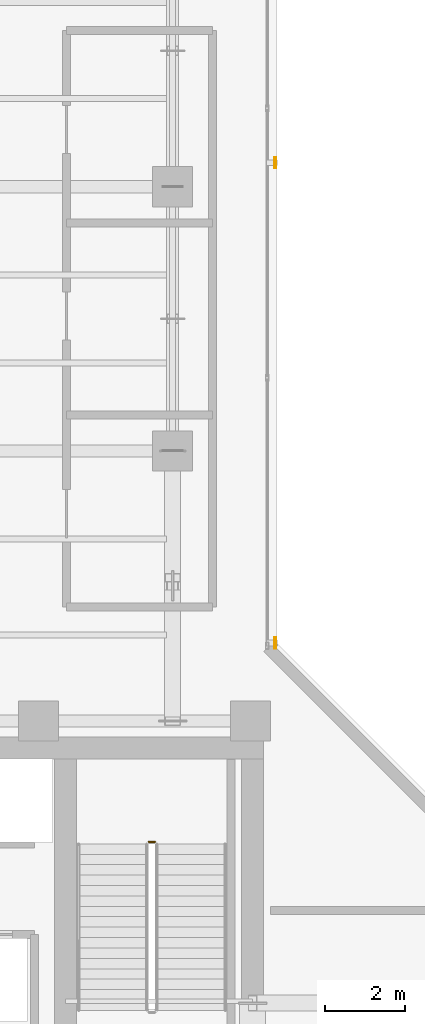
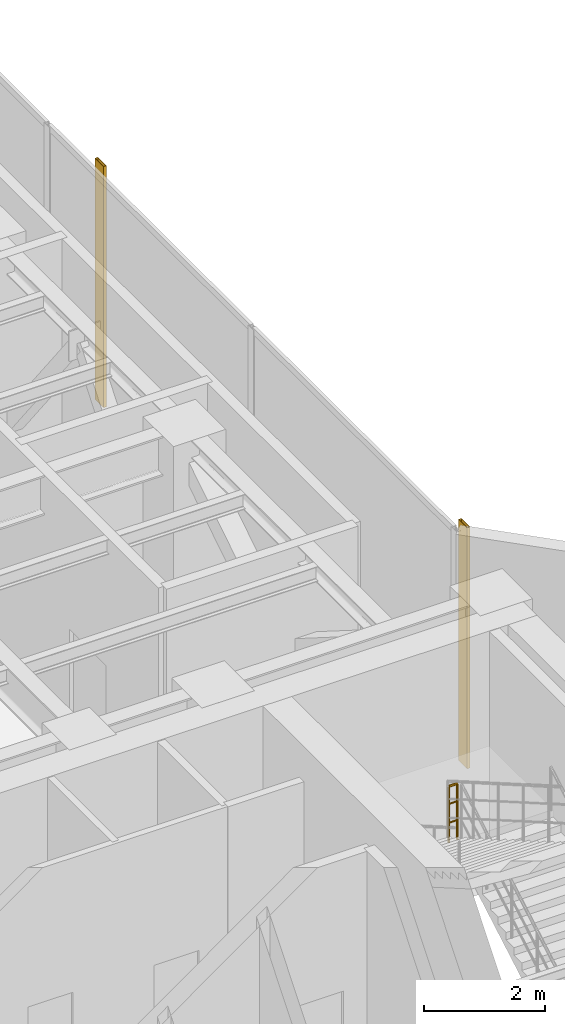
# One storey, part 31 of 31: 2 shading devices, 1 railing.
"""IFC4 building model written with IfcOpenShell, lengths in metres."""

import ifcopenshell
import ifcopenshell.guid

model = None  # the IFC model being written
_history = None  # IfcOwnerHistory: only IFC2X3 demands one
_inside = {}  # id of a spatial element -> (the spatial element, [elements in it])
_under = {}  # id of a project, library or spatial element -> (it, [spatial elements below it])
_declared = {}  # id of a project -> (the project, [libraries it declares])
_typed = {}  # id of a type object -> (the type object, [elements of that type])
_made_of = {}  # id of a material, layer set ... -> (it, [elements and type objects made of it])


def new_model(schema):
    """Start an empty IFC model of exactly this schema.

    Asked for "IFC4X3", IfcOpenShell would pick the latest addendum, in which some entities
    have other attributes; the version numbers below select the first issue.
    IFC2X3 requires an IfcOwnerHistory on every rooted entity: one is made here for all.
    """
    global model, _history
    if schema == "IFC4X3":
        model = ifcopenshell.file(schema_version=(4, 3, 0, 0))
    else:
        model = ifcopenshell.file(schema=schema)
    _inside.clear()
    _under.clear()
    _declared.clear()
    _typed.clear()
    _made_of.clear()
    _history = None
    if model.schema == "IFC2X3":
        org = make("IfcOrganization", Name="unknown")
        user = make(
            "IfcPersonAndOrganization",
            ThePerson=make("IfcPerson", FamilyName="unknown"),
            TheOrganization=org,
        )
        app = make(
            "IfcApplication",
            ApplicationDeveloper=org,
            Version="unknown",
            ApplicationFullName="unknown",
            ApplicationIdentifier="unknown",
        )
        _history = make(
            "IfcOwnerHistory",
            OwningUser=user,
            OwningApplication=app,
            ChangeAction="ADDED",
            CreationDate=0,
        )
    return model


def make(cls, **values):
    """One entity of the class cls with the attributes given. An attribute that is None is left unset."""
    return model.create_entity(
        cls, **{name: value for name, value in values.items() if value is not None}
    )


def rooted(cls, **values):
    """An entity with a GlobalId (a new one), such as an element, a storey or a relation."""
    return make(cls, GlobalId=ifcopenshell.guid.new(), OwnerHistory=_history, **values)


def si_unit(unit_type, name, prefix=None):
    """IfcSIUnit, for example si_unit("LENGTHUNIT", "METRE", prefix="MILLI")."""
    return make("IfcSIUnit", UnitType=unit_type, Prefix=prefix, Name=name)


def assignment(units):
    """IfcUnitAssignment: the units of a project."""
    return None if units is None else make("IfcUnitAssignment", Units=units)


def point(xyz):
    """IfcCartesianPoint."""
    return None if xyz is None else make("IfcCartesianPoint", Coordinates=xyz)


def direction(xyz):
    """IfcDirection."""
    return None if xyz is None else make("IfcDirection", DirectionRatios=xyz)


def frame(location, z_axis=None, x_axis=None):
    """IfcAxis2Placement3D, a coordinate frame: its origin and axes. An axis left out is left unset."""
    return make(
        "IfcAxis2Placement3D",
        Location=point(location),
        Axis=direction(z_axis),
        RefDirection=direction(x_axis),
    )


def frame_2d(location, x_axis=None):
    """IfcAxis2Placement2D, a coordinate frame in the plane: its origin and x axis."""
    return make(
        "IfcAxis2Placement2D", Location=point(location), RefDirection=direction(x_axis)
    )


def origin():
    """The frame at (0, 0, 0) with its axes left unset."""
    return frame((0.0, 0.0, 0.0))


def origin_2d():
    """The frame at (0, 0) in the plane with its x axis left unset."""
    return frame_2d((0.0, 0.0))


def place(relative_to, where):
    """IfcLocalPlacement: puts the frame where relative to a parent placement (None: the world)."""
    return make(
        "IfcLocalPlacement", PlacementRelTo=relative_to, RelativePlacement=where
    )


def context(
    kind, dimensions, precision=None, world=None, true_north=None, identifier=None
):
    """IfcGeometricRepresentationContext, for example the 3D "Model" context."""
    return make(
        "IfcGeometricRepresentationContext",
        ContextIdentifier=identifier,
        ContextType=kind,
        CoordinateSpaceDimension=dimensions,
        Precision=precision,
        WorldCoordinateSystem=world,
        TrueNorth=true_north,
    )


def subcontext(parent, identifier, kind, view, scale=None):
    """IfcGeometricRepresentationSubContext, for example "Body" below "Model"."""
    return make(
        "IfcGeometricRepresentationSubContext",
        ContextIdentifier=identifier,
        ContextType=kind,
        ParentContext=parent,
        TargetScale=scale,
        TargetView=view,
    )


def project(units=None, contexts=None):
    """IfcProject with its units and contexts."""
    return rooted(
        "IfcProject",
        Name="project",
        RepresentationContexts=contexts,
        UnitsInContext=assignment(units),
    )


def spatial(cls, under=None, at=None, **own):
    """A site, building, storey or space (cls), placed at a placement, below another one or the project."""
    s = rooted(cls, ObjectPlacement=at, **own)
    if under is not None:
        _under.setdefault(under.id(), (under, []))[1].append(s)
    return s


def profile(cls, at=None, kind="AREA", **sizes):
    """A parametric profile (cls). Its sizes go by their IFC names, for example OverallWidth=200.0."""
    return make(cls, ProfileType=kind, Position=at, **sizes)


def hollow_rectangle(**sizes):
    """IfcRectangleHollowProfileDef."""
    return profile("IfcRectangleHollowProfileDef", **sizes)


def circle(**sizes):
    """IfcCircleProfileDef."""
    return profile("IfcCircleProfileDef", **sizes)


def extrude(swept, where, along, depth):
    """IfcExtrudedAreaSolid: the profile swept, set in the frame where, extruded along a direction by depth."""
    return make(
        "IfcExtrudedAreaSolid",
        SweptArea=swept,
        Position=where,
        ExtrudedDirection=direction(along),
        Depth=depth,
    )


def shape(context_of_items, identifier, shape_type, items):
    """IfcShapeRepresentation: the items that make up one representation, for example the "Body"."""
    return make(
        "IfcShapeRepresentation",
        ContextOfItems=context_of_items,
        RepresentationIdentifier=identifier,
        RepresentationType=shape_type,
        Items=items,
    )


def material(Name=None, Category=None):
    """IfcMaterial."""
    return make("IfcMaterial", Name=Name, Category=Category)


def material_profile(
    of_material, cross_section, Name=None, Category=None, Priority=None
):
    """IfcMaterialProfile: a cross section and its material."""
    return make(
        "IfcMaterialProfile",
        Name=Name,
        Material=of_material,
        Profile=cross_section,
        Priority=Priority,
        Category=Category,
    )


def profile_set(profiles, Name=None, composite=None):
    """IfcMaterialProfileSet."""
    return make(
        "IfcMaterialProfileSet",
        Name=Name,
        MaterialProfiles=profiles,
        CompositeProfile=composite,
    )


def made_of(thing, what):
    """Note that an element or type object is made of a material, layer set ...; save() writes the relation."""
    if what is not None:
        _made_of.setdefault(what.id(), (what, []))[1].append(thing)
    return thing


def type_object(cls, material=None, **own):
    """A type object (cls), such as IfcWallType, which elements share."""
    return made_of(rooted(cls, **own), material)


def element(
    cls,
    number,
    at=None,
    inside=None,
    cuts=None,
    type_object=None,
    material=None,
    context=None,
    identifier="Body",
    shape_type=None,
    held_by="IfcProductDefinitionShape",
    body=None,
    shapes=None,
    **own,
):
    """One element of the class cls, such as IfcWall. Its Tag is "e" and its number.

    at: its placement. inside: the storey or other place that contains it. cuts: it is an
    opening in that element (IfcRelVoidsElement). A single representation is given by context,
    identifier, shape_type and body (its items); several are given by shapes. held_by: the class
    of the entity that holds the representations. save() writes the other relations.
    """
    e = rooted(cls, Tag="e%d" % number, ObjectPlacement=at, **own)
    if body is not None:
        shapes = [shape(context, identifier, shape_type, body)]
    if shapes is not None:
        e.Representation = make(held_by, Representations=shapes)
    if inside is not None:
        _inside.setdefault(inside.id(), (inside, []))[1].append(e)
    if cuts is not None:
        rooted(
            "IfcRelVoidsElement", RelatingBuildingElement=cuts, RelatedOpeningElement=e
        )
    if type_object is not None:
        _typed.setdefault(type_object.id(), (type_object, []))[1].append(e)
    return made_of(e, material)


def aggregate(whole, parts):
    """IfcRelAggregates: a whole, such as a stair, and the parts it consists of."""
    return rooted("IfcRelAggregates", RelatingObject=whole, RelatedObjects=parts)


def save(model, path):
    """Write the relations noted so far, then the file.

    IfcRelAggregates (storeys below a building ...), IfcRelContainedInSpatialStructure (elements
    in a storey), IfcRelDefinesByType, IfcRelAssociatesMaterial and IfcRelDeclares: one each for
    every whole, place, type object, material and project.
    """
    for whole, parts in _under.values():
        aggregate(whole, parts)
    for where, things in _inside.values():
        rooted(
            "IfcRelContainedInSpatialStructure",
            RelatedElements=things,
            RelatingStructure=where,
        )
    for kind, things in _typed.values():
        rooted("IfcRelDefinesByType", RelatedObjects=things, RelatingType=kind)
    for what, things in _made_of.values():
        rooted("IfcRelAssociatesMaterial", RelatedObjects=things, RelatingMaterial=what)
    for by, libraries in _declared.values():
        rooted("IfcRelDeclares", RelatingContext=by, RelatedDefinitions=libraries)
    model.write(path)


model = new_model("IFC4")

# Units and contexts
model_context = context("Model", 3, precision=1e-05, world=origin(), true_north=direction((0.0, 1.0)))
body_context = subcontext(model_context, "Body", "Model", "MODEL_VIEW")
ifc_project = project(units=[si_unit("LENGTHUNIT", "METRE"), si_unit("AREAUNIT", "SQUARE_METRE"), si_unit("VOLUMEUNIT", "CUBIC_METRE"), si_unit("PLANEANGLEUNIT", "RADIAN"), si_unit("MASSUNIT", "GRAM", prefix="KILO")], contexts=[model_context])

# Site, building, storey
site_placement = place(None, origin())
site = spatial("IfcSite", under=ifc_project, at=site_placement, CompositionType="ELEMENT")
building_placement = place(site_placement, origin())
building = spatial("IfcBuilding", under=site, at=building_placement, Name="Kolvaren Waterfront Exchange", CompositionType="ELEMENT")
storey_placement = place(building_placement, frame((0.0, 0.0, 257.699951171875)))
storey = spatial("IfcBuildingStorey", under=building, at=storey_placement, Name="L66", CompositionType="ELEMENT", Elevation=257.699951171875)

# Shading devices
ifc_material_1 = material(Name="Anodised bronze aluminium 6063-T6", Category="aluminium")
ifc_material_profile = material_profile(ifc_material_1, hollow_rectangle(XDim=0.054931640625, YDim=0.280029296875, WallThickness=0.00439453125, at=origin_2d()), Name="BRZ-FIN-280x55x4.5")
ifc_profile_set = profile_set([ifc_material_profile], Name="Anodised bronze aluminium 6063-T6")
shading_device_type = type_object("IfcShadingDeviceType", Name="ARC-FIN-280", PredefinedType="USERDEFINED", material=ifc_profile_set)
for number, where, z_axis, x_axis, name in (
    (1, (21.360107421875, 26.39990234375, 0.0), (0.0, 0.0, 1.0), (1.0, 0.0, 0.0), "L66 anodised bronze solar shading fin FIN-L66-E2"),
    (2, (21.360107421875, 38.39990234375, 0.0), (0.0, 0.0, 1.0), (1.0, 0.0, 0.0), "L66 anodised bronze solar shading fin FIN-L66-E3"),
):
    element("IfcShadingDevice", number, at=place(storey_placement, frame(where, z_axis=z_axis, x_axis=x_axis)), inside=storey, type_object=shading_device_type, Name=name, ObjectType="SOLAR FIN", PredefinedType="USERDEFINED", context=body_context, shape_type="SweptSolid", body=[
        extrude(hollow_rectangle(XDim=0.054931640625, YDim=0.280029296875, WallThickness=0.00439453125, at=origin_2d()), origin(), (0.0, 0.0, 1.0), 4.860107421875),
    ])

# Railing
ifc_material_2 = material(Name="Stainless steel 316", Category="steel")
railing_type = type_object("IfcRailingType", Name="ARC-GUARD-STAIR", PredefinedType="GUARDRAIL", material=ifc_material_2)
railing_placement = place(storey_placement, frame((18.360107421875, 21.429931640625, 2.550048828125)))
element("IfcRailing", 3, at=railing_placement, inside=storey, type_object=railing_type, Name="L66 ST2 stair guard 2", PredefinedType="GUARDRAIL", context=body_context, shape_type="SweptSolid", body=[
    extrude(circle(Radius=0.02392578125, at=origin_2d()), frame((0.0, 0.0, 1.1259765625), z_axis=(-1.0, 0.0, 0.0), x_axis=(0.0, -1.0, 0.0)), (0.0, 0.0, 1.0), 0.16015625),
    extrude(circle(Radius=0.01611328125, at=origin_2d()), frame((0.0, 0.0, 0.390869140625), z_axis=(-1.0, 0.0, 0.0), x_axis=(0.0, -1.0, 0.0)), (0.0, 0.0, 1.0), 0.16015625),
    extrude(circle(Radius=0.01611328125, at=origin_2d()), frame((0.0, 0.0, 0.7705078125), z_axis=(-1.0, 0.0, 0.0), x_axis=(0.0, -1.0, 0.0)), (0.0, 0.0, 1.0), 0.16015625),
    extrude(circle(Radius=0.02099609375, at=origin_2d()), origin(), (0.0, 0.0, 1.0), 1.101806640625),
    extrude(circle(Radius=0.02099609375, at=origin_2d()), frame((-0.16015625, 0.0, 0.0)), (0.0, 0.0, 1.0), 1.101806640625),
])

save(model, "model.ifc")
